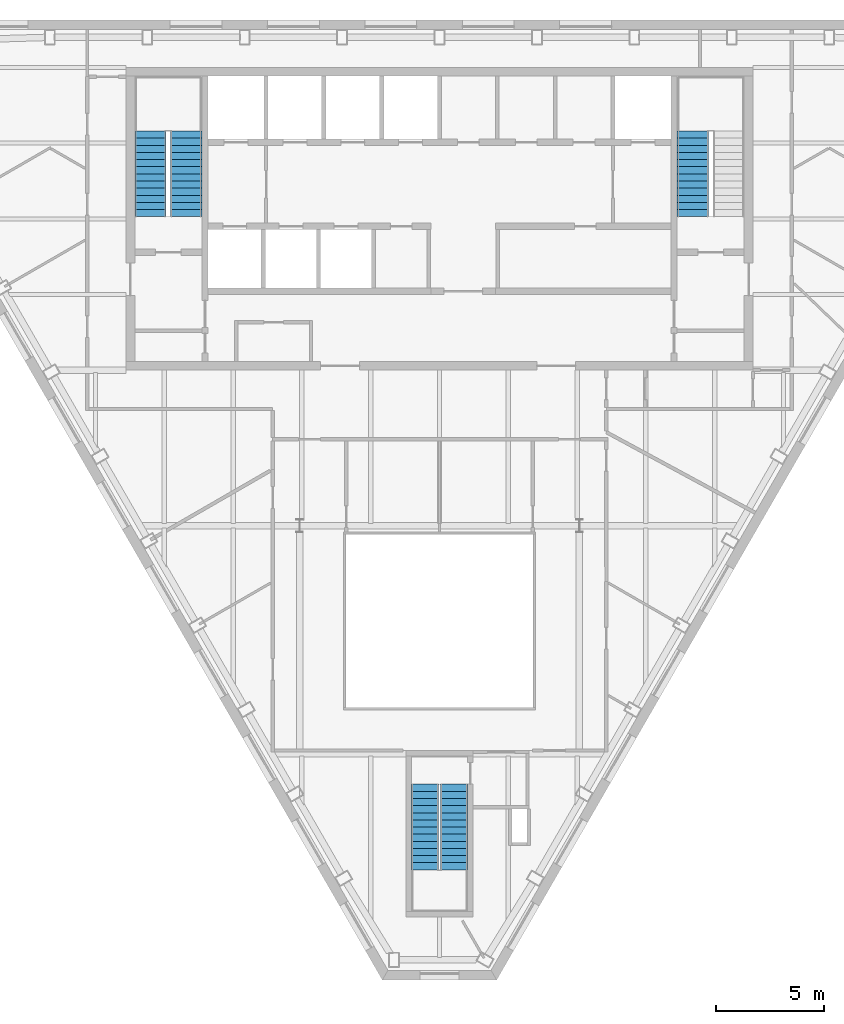
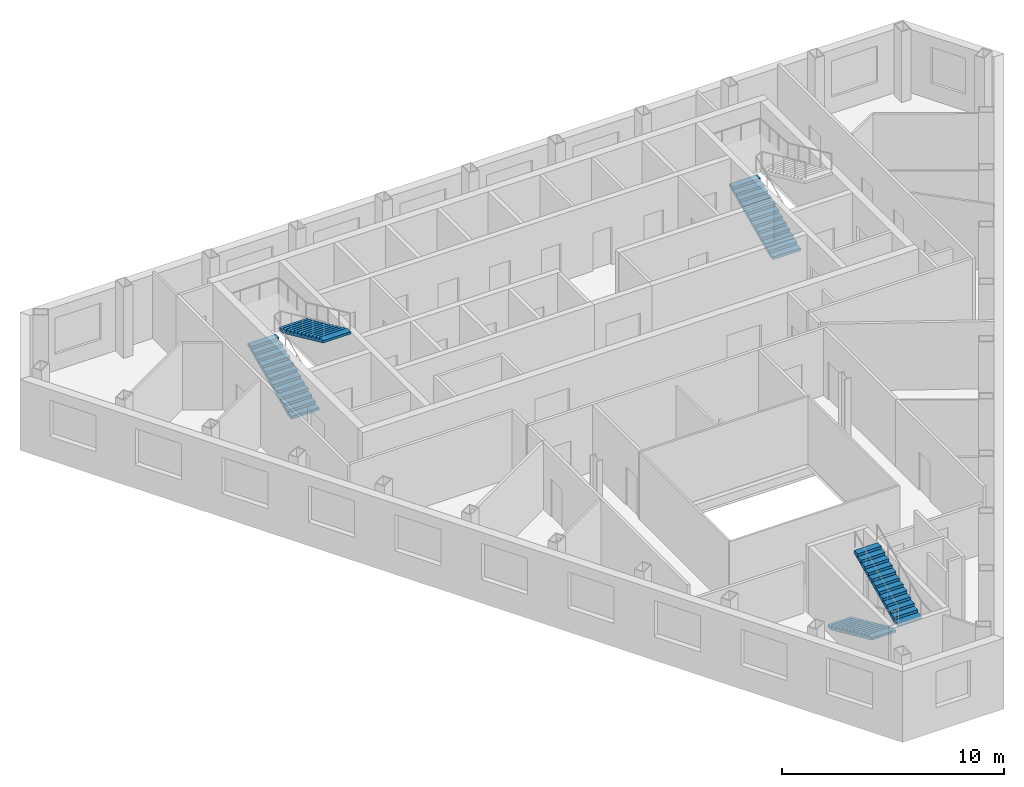
# One storey, part 8 of 10: 5 stair flights, 3 elements without a shape of their own.
"""IFC4 building model written with IfcOpenShell, lengths in metres."""

from ifc_helpers import new_model, si_unit, direction, frame, origin, place, context, subcontext, project, spatial, polygons, material, type_object, element, aggregate, save


model = new_model("IFC4")

# Units and contexts
model_context = context("Model", 3, precision=1e-05, world=origin(), true_north=direction((0.0, 1.0)))
body_context = subcontext(model_context, "Body", "Model", "MODEL_VIEW")
ifc_project = project(units=[si_unit("LENGTHUNIT", "METRE"), si_unit("AREAUNIT", "SQUARE_METRE"), si_unit("VOLUMEUNIT", "CUBIC_METRE"), si_unit("PLANEANGLEUNIT", "RADIAN"), si_unit("MASSUNIT", "GRAM", prefix="KILO")], contexts=[model_context])

# Site, building, storey
site_placement = place(None, origin())
site = spatial("IfcSite", under=ifc_project, at=site_placement, CompositionType="ELEMENT")
building_placement = place(site_placement, origin())
building = spatial("IfcBuilding", under=site, at=building_placement, Name="Njiva Tower", CompositionType="ELEMENT")
storey_placement = place(building_placement, frame((0.0, 0.0, 284.4)))
storey = spatial("IfcBuildingStorey", under=building, at=storey_placement, Name="L65", CompositionType="ELEMENT", Elevation=284.4)

# Stair, stair flights
ifc_material = material(Name="Concrete C40/50", Category="concrete")
stair_type_1 = type_object("IfcStairType", Name="ST1 Exit stair 1250", PredefinedType="HALF_TURN_STAIR", material=ifc_material)
stair_1_placement = place(storey_placement, origin())
stair_1 = element("IfcStair", 1, at=stair_1_placement, inside=storey, type_object=stair_type_1, Name="Stair C", PredefinedType="HALF_TURN_STAIR")
stair_flight_type_1 = type_object("IfcStairFlightType", Name="FL1 Stair flight 1250", PredefinedType="STRAIGHT", material=ifc_material)
stair_flight_1_placement = place(storey_placement, frame((-0.675, -15.16, 0.0), z_axis=(0.0, 0.0, 1.0), x_axis=(0.0, -1.0, 0.0)))
stair_flight_1 = element("IfcStairFlight", 2, at=stair_flight_1_placement, type_object=stair_flight_type_1, Name="ST-C flight 1", NumberOfRisers=13, NumberOfTreads=12, PredefinedType="STRAIGHT", RiserHeight=0.15, TreadLength=0.33, context=body_context, shape_type="Tessellation", body=[
    polygons([(0.0, 0.625, 0.0), (0.0, 0.3125, 0.0), (0.0, 0.0, 0.0), (0.0, -0.3125, 0.0), (0.0, -0.625, 0.0), (0.0, 0.625, 0.15), (0.0, 0.3125, 0.15), (0.0, 0.0, 0.15), (0.0, -0.3125, 0.15), (0.0, -0.625, 0.15), (0.33, 0.625, 0.15), (0.33, 0.3125, 0.15), (0.33, 0.0, 0.15), (0.33, -0.3125, 0.15), (0.33, -0.625, 0.15), (0.33, 0.625, 0.3), (0.33, 0.3125, 0.3), (0.33, 0.0, 0.3), (0.33, -0.3125, 0.3), (0.33, -0.625, 0.3), (0.66, 0.625, 0.3), (0.66, 0.3125, 0.3), (0.66, 0.0, 0.3), (0.66, -0.3125, 0.3), (0.66, -0.625, 0.3), (0.66, 0.625, 0.45), (0.66, 0.3125, 0.45), (0.66, 0.0, 0.45), (0.66, -0.3125, 0.45), (0.66, -0.625, 0.45), (0.99, 0.625, 0.45), (0.99, 0.3125, 0.45), (0.99, 0.0, 0.45), (0.99, -0.3125, 0.45), (0.99, -0.625, 0.45), (0.99, 0.625, 0.6), (0.99, 0.3125, 0.6), (0.99, 0.0, 0.6), (0.99, -0.3125, 0.6), (0.99, -0.625, 0.6), (1.32, 0.625, 0.6), (1.32, 0.3125, 0.6), (1.32, 0.0, 0.6), (1.32, -0.3125, 0.6), (1.32, -0.625, 0.6), (1.32, 0.625, 0.75), (1.32, 0.3125, 0.75), (1.32, 0.0, 0.75), (1.32, -0.3125, 0.75), (1.32, -0.625, 0.75), (1.65, 0.625, 0.75), (1.65, 0.3125, 0.75), (1.65, 0.0, 0.75), (1.65, -0.3125, 0.75), (1.65, -0.625, 0.75), (1.65, 0.625, 0.9), (1.65, 0.3125, 0.9), (1.65, 0.0, 0.9), (1.65, -0.3125, 0.9), (1.65, -0.625, 0.9), (1.98, 0.625, 0.9), (1.98, 0.3125, 0.9), (1.98, 0.0, 0.9), (1.98, -0.3125, 0.9), (1.98, -0.625, 0.9), (1.98, 0.625, 1.05), (1.98, 0.3125, 1.05), (1.98, 0.0, 1.05), (1.98, -0.3125, 1.05), (1.98, -0.625, 1.05), (2.31, 0.625, 1.05), (2.31, 0.3125, 1.05), (2.31, 0.0, 1.05), (2.31, -0.3125, 1.05), (2.31, -0.625, 1.05), (2.31, 0.625, 1.2), (2.31, 0.3125, 1.2), (2.31, 0.0, 1.2), (2.31, -0.3125, 1.2), (2.31, -0.625, 1.2), (2.64, 0.625, 1.2), (2.64, 0.3125, 1.2), (2.64, 0.0, 1.2), (2.64, -0.3125, 1.2), (2.64, -0.625, 1.2), (2.64, 0.625, 1.35), (2.64, 0.3125, 1.35), (2.64, 0.0, 1.35), (2.64, -0.3125, 1.35), (2.64, -0.625, 1.35), (2.97, 0.625, 1.35), (2.97, 0.3125, 1.35), (2.97, 0.0, 1.35), (2.97, -0.3125, 1.35), (2.97, -0.625, 1.35), (2.97, 0.625, 1.5), (2.97, 0.3125, 1.5), (2.97, 0.0, 1.5), (2.97, -0.3125, 1.5), (2.97, -0.625, 1.5), (3.3, 0.625, 1.5), (3.3, 0.3125, 1.5), (3.3, 0.0, 1.5), (3.3, -0.3125, 1.5), (3.3, -0.625, 1.5), (3.3, 0.625, 1.65), (3.3, 0.3125, 1.65), (3.3, 0.0, 1.65), (3.3, -0.3125, 1.65), (3.3, -0.625, 1.65), (3.63, 0.625, 1.65), (3.63, 0.3125, 1.65), (3.63, 0.0, 1.65), (3.63, -0.3125, 1.65), (3.63, -0.625, 1.65), (3.63, 0.625, 1.8), (3.63, 0.3125, 1.8), (3.63, 0.0, 1.8), (3.63, -0.3125, 1.8), (3.63, -0.625, 1.8), (3.96, 0.625, 1.8), (3.96, 0.3125, 1.8), (3.96, 0.0, 1.8), (3.96, -0.3125, 1.8), (3.96, -0.625, 1.8), (3.96, 0.625, 1.6682), (3.96, 0.3125, 1.6682), (3.96, 0.0, 1.6682), (3.96, -0.3125, 1.6682), (3.96, -0.625, 1.6682), (0.29, 0.625, 0.0), (0.29, 0.3125, 0.0), (0.29, 0.0, 0.0), (0.29, -0.3125, 0.0), (0.29, -0.625, 0.0)], [[[1, 6, 11, 16, 21, 26, 31, 36, 41, 46, 51, 56, 61, 66, 71, 76, 81, 86, 91, 96, 101, 106, 111, 116, 121, 126, 131]], [[135, 130, 125, 120, 115, 110, 105, 100, 95, 90, 85, 80, 75, 70, 65, 60, 55, 50, 45, 40, 35, 30, 25, 20, 15, 10, 5]], [[6, 1, 2, 7]], [[7, 2, 3, 8]], [[8, 3, 4, 9]], [[9, 4, 5, 10]], [[11, 6, 7, 12]], [[12, 7, 8, 13]], [[13, 8, 9, 14]], [[14, 9, 10, 15]], [[16, 11, 12, 17]], [[17, 12, 13, 18]], [[18, 13, 14, 19]], [[19, 14, 15, 20]], [[21, 16, 17, 22]], [[22, 17, 18, 23]], [[23, 18, 19, 24]], [[24, 19, 20, 25]], [[26, 21, 22, 27]], [[27, 22, 23, 28]], [[28, 23, 24, 29]], [[29, 24, 25, 30]], [[31, 26, 27, 32]], [[32, 27, 28, 33]], [[33, 28, 29, 34]], [[34, 29, 30, 35]], [[36, 31, 32, 37]], [[37, 32, 33, 38]], [[38, 33, 34, 39]], [[39, 34, 35, 40]], [[41, 36, 37, 42]], [[42, 37, 38, 43]], [[43, 38, 39, 44]], [[44, 39, 40, 45]], [[46, 41, 42, 47]], [[47, 42, 43, 48]], [[48, 43, 44, 49]], [[49, 44, 45, 50]], [[51, 46, 47, 52]], [[52, 47, 48, 53]], [[53, 48, 49, 54]], [[54, 49, 50, 55]], [[56, 51, 52, 57]], [[57, 52, 53, 58]], [[58, 53, 54, 59]], [[59, 54, 55, 60]], [[61, 56, 57, 62]], [[62, 57, 58, 63]], [[63, 58, 59, 64]], [[64, 59, 60, 65]], [[66, 61, 62, 67]], [[67, 62, 63, 68]], [[68, 63, 64, 69]], [[69, 64, 65, 70]], [[71, 66, 67, 72]], [[72, 67, 68, 73]], [[73, 68, 69, 74]], [[74, 69, 70, 75]], [[76, 71, 72, 77]], [[77, 72, 73, 78]], [[78, 73, 74, 79]], [[79, 74, 75, 80]], [[81, 76, 77, 82]], [[82, 77, 78, 83]], [[83, 78, 79, 84]], [[84, 79, 80, 85]], [[86, 81, 82, 87]], [[87, 82, 83, 88]], [[88, 83, 84, 89]], [[89, 84, 85, 90]], [[91, 86, 87, 92]], [[92, 87, 88, 93]], [[93, 88, 89, 94]], [[94, 89, 90, 95]], [[96, 91, 92, 97]], [[97, 92, 93, 98]], [[98, 93, 94, 99]], [[99, 94, 95, 100]], [[101, 96, 97, 102]], [[102, 97, 98, 103]], [[103, 98, 99, 104]], [[104, 99, 100, 105]], [[106, 101, 102, 107]], [[107, 102, 103, 108]], [[108, 103, 104, 109]], [[109, 104, 105, 110]], [[111, 106, 107, 112]], [[112, 107, 108, 113]], [[113, 108, 109, 114]], [[114, 109, 110, 115]], [[116, 111, 112, 117]], [[117, 112, 113, 118]], [[118, 113, 114, 119]], [[119, 114, 115, 120]], [[121, 116, 117, 122]], [[122, 117, 118, 123]], [[123, 118, 119, 124]], [[124, 119, 120, 125]], [[126, 121, 122, 127]], [[127, 122, 123, 128]], [[128, 123, 124, 129]], [[129, 124, 125, 130]], [[131, 126, 127, 132]], [[132, 127, 128, 133]], [[133, 128, 129, 134]], [[134, 129, 130, 135]], [[1, 131, 132, 2]], [[2, 132, 133, 3]], [[3, 133, 134, 4]], [[4, 134, 135, 5]]], closed=True),
])
stair_flight_2_placement = place(storey_placement, frame((0.675, -19.12, 1.95), z_axis=(0.0, 0.0, 1.0), x_axis=(0.0, 1.0, 0.0)))
stair_flight_2 = element("IfcStairFlight", 3, at=stair_flight_2_placement, type_object=stair_flight_type_1, Name="ST-C flight 2", NumberOfRisers=13, NumberOfTreads=12, PredefinedType="STRAIGHT", RiserHeight=0.15, TreadLength=0.33, context=body_context, shape_type="Tessellation", body=[
    polygons([(0.0, 0.625, 0.0), (0.0, 0.3125, 0.0), (0.0, 0.0, 0.0), (0.0, -0.3125, 0.0), (0.0, -0.625, 0.0), (0.0, 0.625, 0.15), (0.0, 0.3125, 0.15), (0.0, 0.0, 0.15), (0.0, -0.3125, 0.15), (0.0, -0.625, 0.15), (0.33, 0.625, 0.15), (0.33, 0.3125, 0.15), (0.33, 0.0, 0.15), (0.33, -0.3125, 0.15), (0.33, -0.625, 0.15), (0.33, 0.625, 0.3), (0.33, 0.3125, 0.3), (0.33, 0.0, 0.3), (0.33, -0.3125, 0.3), (0.33, -0.625, 0.3), (0.66, 0.625, 0.3), (0.66, 0.3125, 0.3), (0.66, 0.0, 0.3), (0.66, -0.3125, 0.3), (0.66, -0.625, 0.3), (0.66, 0.625, 0.45), (0.66, 0.3125, 0.45), (0.66, 0.0, 0.45), (0.66, -0.3125, 0.45), (0.66, -0.625, 0.45), (0.99, 0.625, 0.45), (0.99, 0.3125, 0.45), (0.99, 0.0, 0.45), (0.99, -0.3125, 0.45), (0.99, -0.625, 0.45), (0.99, 0.625, 0.6), (0.99, 0.3125, 0.6), (0.99, 0.0, 0.6), (0.99, -0.3125, 0.6), (0.99, -0.625, 0.6), (1.32, 0.625, 0.6), (1.32, 0.3125, 0.6), (1.32, 0.0, 0.6), (1.32, -0.3125, 0.6), (1.32, -0.625, 0.6), (1.32, 0.625, 0.75), (1.32, 0.3125, 0.75), (1.32, 0.0, 0.75), (1.32, -0.3125, 0.75), (1.32, -0.625, 0.75), (1.65, 0.625, 0.75), (1.65, 0.3125, 0.75), (1.65, 0.0, 0.75), (1.65, -0.3125, 0.75), (1.65, -0.625, 0.75), (1.65, 0.625, 0.9), (1.65, 0.3125, 0.9), (1.65, 0.0, 0.9), (1.65, -0.3125, 0.9), (1.65, -0.625, 0.9), (1.98, 0.625, 0.9), (1.98, 0.3125, 0.9), (1.98, 0.0, 0.9), (1.98, -0.3125, 0.9), (1.98, -0.625, 0.9), (1.98, 0.625, 1.05), (1.98, 0.3125, 1.05), (1.98, 0.0, 1.05), (1.98, -0.3125, 1.05), (1.98, -0.625, 1.05), (2.31, 0.625, 1.05), (2.31, 0.3125, 1.05), (2.31, 0.0, 1.05), (2.31, -0.3125, 1.05), (2.31, -0.625, 1.05), (2.31, 0.625, 1.2), (2.31, 0.3125, 1.2), (2.31, 0.0, 1.2), (2.31, -0.3125, 1.2), (2.31, -0.625, 1.2), (2.64, 0.625, 1.2), (2.64, 0.3125, 1.2), (2.64, 0.0, 1.2), (2.64, -0.3125, 1.2), (2.64, -0.625, 1.2), (2.64, 0.625, 1.35), (2.64, 0.3125, 1.35), (2.64, 0.0, 1.35), (2.64, -0.3125, 1.35), (2.64, -0.625, 1.35), (2.97, 0.625, 1.35), (2.97, 0.3125, 1.35), (2.97, 0.0, 1.35), (2.97, -0.3125, 1.35), (2.97, -0.625, 1.35), (2.97, 0.625, 1.5), (2.97, 0.3125, 1.5), (2.97, 0.0, 1.5), (2.97, -0.3125, 1.5), (2.97, -0.625, 1.5), (3.3, 0.625, 1.5), (3.3, 0.3125, 1.5), (3.3, 0.0, 1.5), (3.3, -0.3125, 1.5), (3.3, -0.625, 1.5), (3.3, 0.625, 1.65), (3.3, 0.3125, 1.65), (3.3, 0.0, 1.65), (3.3, -0.3125, 1.65), (3.3, -0.625, 1.65), (3.63, 0.625, 1.65), (3.63, 0.3125, 1.65), (3.63, 0.0, 1.65), (3.63, -0.3125, 1.65), (3.63, -0.625, 1.65), (3.63, 0.625, 1.8), (3.63, 0.3125, 1.8), (3.63, 0.0, 1.8), (3.63, -0.3125, 1.8), (3.63, -0.625, 1.8), (3.96, 0.625, 1.8), (3.96, 0.3125, 1.8), (3.96, 0.0, 1.8), (3.96, -0.3125, 1.8), (3.96, -0.625, 1.8), (3.96, 0.625, 1.6682), (3.96, 0.3125, 1.6682), (3.96, 0.0, 1.6682), (3.96, -0.3125, 1.6682), (3.96, -0.625, 1.6682), (0.29, 0.625, 0.0), (0.29, 0.3125, 0.0), (0.29, 0.0, 0.0), (0.29, -0.3125, 0.0), (0.29, -0.625, 0.0)], [[[1, 6, 11, 16, 21, 26, 31, 36, 41, 46, 51, 56, 61, 66, 71, 76, 81, 86, 91, 96, 101, 106, 111, 116, 121, 126, 131]], [[135, 130, 125, 120, 115, 110, 105, 100, 95, 90, 85, 80, 75, 70, 65, 60, 55, 50, 45, 40, 35, 30, 25, 20, 15, 10, 5]], [[6, 1, 2, 7]], [[7, 2, 3, 8]], [[8, 3, 4, 9]], [[9, 4, 5, 10]], [[11, 6, 7, 12]], [[12, 7, 8, 13]], [[13, 8, 9, 14]], [[14, 9, 10, 15]], [[16, 11, 12, 17]], [[17, 12, 13, 18]], [[18, 13, 14, 19]], [[19, 14, 15, 20]], [[21, 16, 17, 22]], [[22, 17, 18, 23]], [[23, 18, 19, 24]], [[24, 19, 20, 25]], [[26, 21, 22, 27]], [[27, 22, 23, 28]], [[28, 23, 24, 29]], [[29, 24, 25, 30]], [[31, 26, 27, 32]], [[32, 27, 28, 33]], [[33, 28, 29, 34]], [[34, 29, 30, 35]], [[36, 31, 32, 37]], [[37, 32, 33, 38]], [[38, 33, 34, 39]], [[39, 34, 35, 40]], [[41, 36, 37, 42]], [[42, 37, 38, 43]], [[43, 38, 39, 44]], [[44, 39, 40, 45]], [[46, 41, 42, 47]], [[47, 42, 43, 48]], [[48, 43, 44, 49]], [[49, 44, 45, 50]], [[51, 46, 47, 52]], [[52, 47, 48, 53]], [[53, 48, 49, 54]], [[54, 49, 50, 55]], [[56, 51, 52, 57]], [[57, 52, 53, 58]], [[58, 53, 54, 59]], [[59, 54, 55, 60]], [[61, 56, 57, 62]], [[62, 57, 58, 63]], [[63, 58, 59, 64]], [[64, 59, 60, 65]], [[66, 61, 62, 67]], [[67, 62, 63, 68]], [[68, 63, 64, 69]], [[69, 64, 65, 70]], [[71, 66, 67, 72]], [[72, 67, 68, 73]], [[73, 68, 69, 74]], [[74, 69, 70, 75]], [[76, 71, 72, 77]], [[77, 72, 73, 78]], [[78, 73, 74, 79]], [[79, 74, 75, 80]], [[81, 76, 77, 82]], [[82, 77, 78, 83]], [[83, 78, 79, 84]], [[84, 79, 80, 85]], [[86, 81, 82, 87]], [[87, 82, 83, 88]], [[88, 83, 84, 89]], [[89, 84, 85, 90]], [[91, 86, 87, 92]], [[92, 87, 88, 93]], [[93, 88, 89, 94]], [[94, 89, 90, 95]], [[96, 91, 92, 97]], [[97, 92, 93, 98]], [[98, 93, 94, 99]], [[99, 94, 95, 100]], [[101, 96, 97, 102]], [[102, 97, 98, 103]], [[103, 98, 99, 104]], [[104, 99, 100, 105]], [[106, 101, 102, 107]], [[107, 102, 103, 108]], [[108, 103, 104, 109]], [[109, 104, 105, 110]], [[111, 106, 107, 112]], [[112, 107, 108, 113]], [[113, 108, 109, 114]], [[114, 109, 110, 115]], [[116, 111, 112, 117]], [[117, 112, 113, 118]], [[118, 113, 114, 119]], [[119, 114, 115, 120]], [[121, 116, 117, 122]], [[122, 117, 118, 123]], [[123, 118, 119, 124]], [[124, 119, 120, 125]], [[126, 121, 122, 127]], [[127, 122, 123, 128]], [[128, 123, 124, 129]], [[129, 124, 125, 130]], [[131, 126, 127, 132]], [[132, 127, 128, 133]], [[133, 128, 129, 134]], [[134, 129, 130, 135]], [[1, 131, 132, 2]], [[2, 132, 133, 3]], [[3, 133, 134, 4]], [[4, 134, 135, 5]]], closed=True),
])
aggregate(stair_1, [stair_flight_1, stair_flight_2])

stair_type_2 = type_object("IfcStairType", Name="ST3 Exit stair 1450", PredefinedType="HALF_TURN_STAIR", material=ifc_material)
stair_2_placement = place(storey_placement, origin())
stair_2 = element("IfcStair", 4, at=stair_2_placement, inside=storey, type_object=stair_type_2, Name="Stair A", PredefinedType="HALF_TURN_STAIR")
stair_flight_type_2 = type_object("IfcStairFlightType", Name="FL3 Stair flight 1450", PredefinedType="STRAIGHT", material=ifc_material)
stair_flight_3_placement = place(storey_placement, frame((-13.375, 11.1, 0.0), z_axis=(0.0, 0.0, 1.0), x_axis=(0.0, 1.0, 0.0)))
stair_flight_3 = element("IfcStairFlight", 5, at=stair_flight_3_placement, type_object=stair_flight_type_2, Name="ST-A flight 1", NumberOfRisers=13, NumberOfTreads=12, PredefinedType="STRAIGHT", RiserHeight=0.15, TreadLength=0.33, context=body_context, shape_type="Tessellation", body=[
    polygons([(0.0, 0.725, 0.0), (0.0, 0.3625, 0.0), (0.0, 0.0, 0.0), (0.0, -0.3625, 0.0), (0.0, -0.725, 0.0), (0.0, 0.725, 0.15), (0.0, 0.3625, 0.15), (0.0, 0.0, 0.15), (0.0, -0.3625, 0.15), (0.0, -0.725, 0.15), (0.33, 0.725, 0.15), (0.33, 0.3625, 0.15), (0.33, 0.0, 0.15), (0.33, -0.3625, 0.15), (0.33, -0.725, 0.15), (0.33, 0.725, 0.3), (0.33, 0.3625, 0.3), (0.33, 0.0, 0.3), (0.33, -0.3625, 0.3), (0.33, -0.725, 0.3), (0.66, 0.725, 0.3), (0.66, 0.3625, 0.3), (0.66, 0.0, 0.3), (0.66, -0.3625, 0.3), (0.66, -0.725, 0.3), (0.66, 0.725, 0.45), (0.66, 0.3625, 0.45), (0.66, 0.0, 0.45), (0.66, -0.3625, 0.45), (0.66, -0.725, 0.45), (0.99, 0.725, 0.45), (0.99, 0.3625, 0.45), (0.99, 0.0, 0.45), (0.99, -0.3625, 0.45), (0.99, -0.725, 0.45), (0.99, 0.725, 0.6), (0.99, 0.3625, 0.6), (0.99, 0.0, 0.6), (0.99, -0.3625, 0.6), (0.99, -0.725, 0.6), (1.32, 0.725, 0.6), (1.32, 0.3625, 0.6), (1.32, 0.0, 0.6), (1.32, -0.3625, 0.6), (1.32, -0.725, 0.6), (1.32, 0.725, 0.75), (1.32, 0.3625, 0.75), (1.32, 0.0, 0.75), (1.32, -0.3625, 0.75), (1.32, -0.725, 0.75), (1.65, 0.725, 0.75), (1.65, 0.3625, 0.75), (1.65, 0.0, 0.75), (1.65, -0.3625, 0.75), (1.65, -0.725, 0.75), (1.65, 0.725, 0.9), (1.65, 0.3625, 0.9), (1.65, 0.0, 0.9), (1.65, -0.3625, 0.9), (1.65, -0.725, 0.9), (1.98, 0.725, 0.9), (1.98, 0.3625, 0.9), (1.98, 0.0, 0.9), (1.98, -0.3625, 0.9), (1.98, -0.725, 0.9), (1.98, 0.725, 1.05), (1.98, 0.3625, 1.05), (1.98, 0.0, 1.05), (1.98, -0.3625, 1.05), (1.98, -0.725, 1.05), (2.31, 0.725, 1.05), (2.31, 0.3625, 1.05), (2.31, 0.0, 1.05), (2.31, -0.3625, 1.05), (2.31, -0.725, 1.05), (2.31, 0.725, 1.2), (2.31, 0.3625, 1.2), (2.31, 0.0, 1.2), (2.31, -0.3625, 1.2), (2.31, -0.725, 1.2), (2.64, 0.725, 1.2), (2.64, 0.3625, 1.2), (2.64, 0.0, 1.2), (2.64, -0.3625, 1.2), (2.64, -0.725, 1.2), (2.64, 0.725, 1.35), (2.64, 0.3625, 1.35), (2.64, 0.0, 1.35), (2.64, -0.3625, 1.35), (2.64, -0.725, 1.35), (2.97, 0.725, 1.35), (2.97, 0.3625, 1.35), (2.97, 0.0, 1.35), (2.97, -0.3625, 1.35), (2.97, -0.725, 1.35), (2.97, 0.725, 1.5), (2.97, 0.3625, 1.5), (2.97, 0.0, 1.5), (2.97, -0.3625, 1.5), (2.97, -0.725, 1.5), (3.3, 0.725, 1.5), (3.3, 0.3625, 1.5), (3.3, 0.0, 1.5), (3.3, -0.3625, 1.5), (3.3, -0.725, 1.5), (3.3, 0.725, 1.65), (3.3, 0.3625, 1.65), (3.3, 0.0, 1.65), (3.3, -0.3625, 1.65), (3.3, -0.725, 1.65), (3.63, 0.725, 1.65), (3.63, 0.3625, 1.65), (3.63, 0.0, 1.65), (3.63, -0.3625, 1.65), (3.63, -0.725, 1.65), (3.63, 0.725, 1.8), (3.63, 0.3625, 1.8), (3.63, 0.0, 1.8), (3.63, -0.3625, 1.8), (3.63, -0.725, 1.8), (3.96, 0.725, 1.8), (3.96, 0.3625, 1.8), (3.96, 0.0, 1.8), (3.96, -0.3625, 1.8), (3.96, -0.725, 1.8), (3.96, 0.725, 1.6682), (3.96, 0.3625, 1.6682), (3.96, 0.0, 1.6682), (3.96, -0.3625, 1.6682), (3.96, -0.725, 1.6682), (0.29, 0.725, 0.0), (0.29, 0.3625, 0.0), (0.29, 0.0, 0.0), (0.29, -0.3625, 0.0), (0.29, -0.725, 0.0)], [[[1, 6, 11, 16, 21, 26, 31, 36, 41, 46, 51, 56, 61, 66, 71, 76, 81, 86, 91, 96, 101, 106, 111, 116, 121, 126, 131]], [[135, 130, 125, 120, 115, 110, 105, 100, 95, 90, 85, 80, 75, 70, 65, 60, 55, 50, 45, 40, 35, 30, 25, 20, 15, 10, 5]], [[6, 1, 2, 7]], [[7, 2, 3, 8]], [[8, 3, 4, 9]], [[9, 4, 5, 10]], [[11, 6, 7, 12]], [[12, 7, 8, 13]], [[13, 8, 9, 14]], [[14, 9, 10, 15]], [[16, 11, 12, 17]], [[17, 12, 13, 18]], [[18, 13, 14, 19]], [[19, 14, 15, 20]], [[21, 16, 17, 22]], [[22, 17, 18, 23]], [[23, 18, 19, 24]], [[24, 19, 20, 25]], [[26, 21, 22, 27]], [[27, 22, 23, 28]], [[28, 23, 24, 29]], [[29, 24, 25, 30]], [[31, 26, 27, 32]], [[32, 27, 28, 33]], [[33, 28, 29, 34]], [[34, 29, 30, 35]], [[36, 31, 32, 37]], [[37, 32, 33, 38]], [[38, 33, 34, 39]], [[39, 34, 35, 40]], [[41, 36, 37, 42]], [[42, 37, 38, 43]], [[43, 38, 39, 44]], [[44, 39, 40, 45]], [[46, 41, 42, 47]], [[47, 42, 43, 48]], [[48, 43, 44, 49]], [[49, 44, 45, 50]], [[51, 46, 47, 52]], [[52, 47, 48, 53]], [[53, 48, 49, 54]], [[54, 49, 50, 55]], [[56, 51, 52, 57]], [[57, 52, 53, 58]], [[58, 53, 54, 59]], [[59, 54, 55, 60]], [[61, 56, 57, 62]], [[62, 57, 58, 63]], [[63, 58, 59, 64]], [[64, 59, 60, 65]], [[66, 61, 62, 67]], [[67, 62, 63, 68]], [[68, 63, 64, 69]], [[69, 64, 65, 70]], [[71, 66, 67, 72]], [[72, 67, 68, 73]], [[73, 68, 69, 74]], [[74, 69, 70, 75]], [[76, 71, 72, 77]], [[77, 72, 73, 78]], [[78, 73, 74, 79]], [[79, 74, 75, 80]], [[81, 76, 77, 82]], [[82, 77, 78, 83]], [[83, 78, 79, 84]], [[84, 79, 80, 85]], [[86, 81, 82, 87]], [[87, 82, 83, 88]], [[88, 83, 84, 89]], [[89, 84, 85, 90]], [[91, 86, 87, 92]], [[92, 87, 88, 93]], [[93, 88, 89, 94]], [[94, 89, 90, 95]], [[96, 91, 92, 97]], [[97, 92, 93, 98]], [[98, 93, 94, 99]], [[99, 94, 95, 100]], [[101, 96, 97, 102]], [[102, 97, 98, 103]], [[103, 98, 99, 104]], [[104, 99, 100, 105]], [[106, 101, 102, 107]], [[107, 102, 103, 108]], [[108, 103, 104, 109]], [[109, 104, 105, 110]], [[111, 106, 107, 112]], [[112, 107, 108, 113]], [[113, 108, 109, 114]], [[114, 109, 110, 115]], [[116, 111, 112, 117]], [[117, 112, 113, 118]], [[118, 113, 114, 119]], [[119, 114, 115, 120]], [[121, 116, 117, 122]], [[122, 117, 118, 123]], [[123, 118, 119, 124]], [[124, 119, 120, 125]], [[126, 121, 122, 127]], [[127, 122, 123, 128]], [[128, 123, 124, 129]], [[129, 124, 125, 130]], [[131, 126, 127, 132]], [[132, 127, 128, 133]], [[133, 128, 129, 134]], [[134, 129, 130, 135]], [[1, 131, 132, 2]], [[2, 132, 133, 3]], [[3, 133, 134, 4]], [[4, 134, 135, 5]]], closed=True),
])
stair_flight_4_placement = place(storey_placement, frame((-11.725, 15.06, 1.95), z_axis=(0.0, 0.0, 1.0), x_axis=(0.0, -1.0, 0.0)))
stair_flight_4 = element("IfcStairFlight", 6, at=stair_flight_4_placement, type_object=stair_flight_type_2, Name="ST-A flight 2", NumberOfRisers=13, NumberOfTreads=12, PredefinedType="STRAIGHT", RiserHeight=0.15, TreadLength=0.33, context=body_context, shape_type="Tessellation", body=[
    polygons([(0.0, 0.725, 0.0), (0.0, 0.3625, 0.0), (0.0, 0.0, 0.0), (0.0, -0.3625, 0.0), (0.0, -0.725, 0.0), (0.0, 0.725, 0.15), (0.0, 0.3625, 0.15), (0.0, 0.0, 0.15), (0.0, -0.3625, 0.15), (0.0, -0.725, 0.15), (0.33, 0.725, 0.15), (0.33, 0.3625, 0.15), (0.33, 0.0, 0.15), (0.33, -0.3625, 0.15), (0.33, -0.725, 0.15), (0.33, 0.725, 0.3), (0.33, 0.3625, 0.3), (0.33, 0.0, 0.3), (0.33, -0.3625, 0.3), (0.33, -0.725, 0.3), (0.66, 0.725, 0.3), (0.66, 0.3625, 0.3), (0.66, 0.0, 0.3), (0.66, -0.3625, 0.3), (0.66, -0.725, 0.3), (0.66, 0.725, 0.45), (0.66, 0.3625, 0.45), (0.66, 0.0, 0.45), (0.66, -0.3625, 0.45), (0.66, -0.725, 0.45), (0.99, 0.725, 0.45), (0.99, 0.3625, 0.45), (0.99, 0.0, 0.45), (0.99, -0.3625, 0.45), (0.99, -0.725, 0.45), (0.99, 0.725, 0.6), (0.99, 0.3625, 0.6), (0.99, 0.0, 0.6), (0.99, -0.3625, 0.6), (0.99, -0.725, 0.6), (1.32, 0.725, 0.6), (1.32, 0.3625, 0.6), (1.32, 0.0, 0.6), (1.32, -0.3625, 0.6), (1.32, -0.725, 0.6), (1.32, 0.725, 0.75), (1.32, 0.3625, 0.75), (1.32, 0.0, 0.75), (1.32, -0.3625, 0.75), (1.32, -0.725, 0.75), (1.65, 0.725, 0.75), (1.65, 0.3625, 0.75), (1.65, 0.0, 0.75), (1.65, -0.3625, 0.75), (1.65, -0.725, 0.75), (1.65, 0.725, 0.9), (1.65, 0.3625, 0.9), (1.65, 0.0, 0.9), (1.65, -0.3625, 0.9), (1.65, -0.725, 0.9), (1.98, 0.725, 0.9), (1.98, 0.3625, 0.9), (1.98, 0.0, 0.9), (1.98, -0.3625, 0.9), (1.98, -0.725, 0.9), (1.98, 0.725, 1.05), (1.98, 0.3625, 1.05), (1.98, 0.0, 1.05), (1.98, -0.3625, 1.05), (1.98, -0.725, 1.05), (2.31, 0.725, 1.05), (2.31, 0.3625, 1.05), (2.31, 0.0, 1.05), (2.31, -0.3625, 1.05), (2.31, -0.725, 1.05), (2.31, 0.725, 1.2), (2.31, 0.3625, 1.2), (2.31, 0.0, 1.2), (2.31, -0.3625, 1.2), (2.31, -0.725, 1.2), (2.64, 0.725, 1.2), (2.64, 0.3625, 1.2), (2.64, 0.0, 1.2), (2.64, -0.3625, 1.2), (2.64, -0.725, 1.2), (2.64, 0.725, 1.35), (2.64, 0.3625, 1.35), (2.64, 0.0, 1.35), (2.64, -0.3625, 1.35), (2.64, -0.725, 1.35), (2.97, 0.725, 1.35), (2.97, 0.3625, 1.35), (2.97, 0.0, 1.35), (2.97, -0.3625, 1.35), (2.97, -0.725, 1.35), (2.97, 0.725, 1.5), (2.97, 0.3625, 1.5), (2.97, 0.0, 1.5), (2.97, -0.3625, 1.5), (2.97, -0.725, 1.5), (3.3, 0.725, 1.5), (3.3, 0.3625, 1.5), (3.3, 0.0, 1.5), (3.3, -0.3625, 1.5), (3.3, -0.725, 1.5), (3.3, 0.725, 1.65), (3.3, 0.3625, 1.65), (3.3, 0.0, 1.65), (3.3, -0.3625, 1.65), (3.3, -0.725, 1.65), (3.63, 0.725, 1.65), (3.63, 0.3625, 1.65), (3.63, 0.0, 1.65), (3.63, -0.3625, 1.65), (3.63, -0.725, 1.65), (3.63, 0.725, 1.8), (3.63, 0.3625, 1.8), (3.63, 0.0, 1.8), (3.63, -0.3625, 1.8), (3.63, -0.725, 1.8), (3.96, 0.725, 1.8), (3.96, 0.3625, 1.8), (3.96, 0.0, 1.8), (3.96, -0.3625, 1.8), (3.96, -0.725, 1.8), (3.96, 0.725, 1.6682), (3.96, 0.3625, 1.6682), (3.96, 0.0, 1.6682), (3.96, -0.3625, 1.6682), (3.96, -0.725, 1.6682), (0.29, 0.725, 0.0), (0.29, 0.3625, 0.0), (0.29, 0.0, 0.0), (0.29, -0.3625, 0.0), (0.29, -0.725, 0.0)], [[[1, 6, 11, 16, 21, 26, 31, 36, 41, 46, 51, 56, 61, 66, 71, 76, 81, 86, 91, 96, 101, 106, 111, 116, 121, 126, 131]], [[135, 130, 125, 120, 115, 110, 105, 100, 95, 90, 85, 80, 75, 70, 65, 60, 55, 50, 45, 40, 35, 30, 25, 20, 15, 10, 5]], [[6, 1, 2, 7]], [[7, 2, 3, 8]], [[8, 3, 4, 9]], [[9, 4, 5, 10]], [[11, 6, 7, 12]], [[12, 7, 8, 13]], [[13, 8, 9, 14]], [[14, 9, 10, 15]], [[16, 11, 12, 17]], [[17, 12, 13, 18]], [[18, 13, 14, 19]], [[19, 14, 15, 20]], [[21, 16, 17, 22]], [[22, 17, 18, 23]], [[23, 18, 19, 24]], [[24, 19, 20, 25]], [[26, 21, 22, 27]], [[27, 22, 23, 28]], [[28, 23, 24, 29]], [[29, 24, 25, 30]], [[31, 26, 27, 32]], [[32, 27, 28, 33]], [[33, 28, 29, 34]], [[34, 29, 30, 35]], [[36, 31, 32, 37]], [[37, 32, 33, 38]], [[38, 33, 34, 39]], [[39, 34, 35, 40]], [[41, 36, 37, 42]], [[42, 37, 38, 43]], [[43, 38, 39, 44]], [[44, 39, 40, 45]], [[46, 41, 42, 47]], [[47, 42, 43, 48]], [[48, 43, 44, 49]], [[49, 44, 45, 50]], [[51, 46, 47, 52]], [[52, 47, 48, 53]], [[53, 48, 49, 54]], [[54, 49, 50, 55]], [[56, 51, 52, 57]], [[57, 52, 53, 58]], [[58, 53, 54, 59]], [[59, 54, 55, 60]], [[61, 56, 57, 62]], [[62, 57, 58, 63]], [[63, 58, 59, 64]], [[64, 59, 60, 65]], [[66, 61, 62, 67]], [[67, 62, 63, 68]], [[68, 63, 64, 69]], [[69, 64, 65, 70]], [[71, 66, 67, 72]], [[72, 67, 68, 73]], [[73, 68, 69, 74]], [[74, 69, 70, 75]], [[76, 71, 72, 77]], [[77, 72, 73, 78]], [[78, 73, 74, 79]], [[79, 74, 75, 80]], [[81, 76, 77, 82]], [[82, 77, 78, 83]], [[83, 78, 79, 84]], [[84, 79, 80, 85]], [[86, 81, 82, 87]], [[87, 82, 83, 88]], [[88, 83, 84, 89]], [[89, 84, 85, 90]], [[91, 86, 87, 92]], [[92, 87, 88, 93]], [[93, 88, 89, 94]], [[94, 89, 90, 95]], [[96, 91, 92, 97]], [[97, 92, 93, 98]], [[98, 93, 94, 99]], [[99, 94, 95, 100]], [[101, 96, 97, 102]], [[102, 97, 98, 103]], [[103, 98, 99, 104]], [[104, 99, 100, 105]], [[106, 101, 102, 107]], [[107, 102, 103, 108]], [[108, 103, 104, 109]], [[109, 104, 105, 110]], [[111, 106, 107, 112]], [[112, 107, 108, 113]], [[113, 108, 109, 114]], [[114, 109, 110, 115]], [[116, 111, 112, 117]], [[117, 112, 113, 118]], [[118, 113, 114, 119]], [[119, 114, 115, 120]], [[121, 116, 117, 122]], [[122, 117, 118, 123]], [[123, 118, 119, 124]], [[124, 119, 120, 125]], [[126, 121, 122, 127]], [[127, 122, 123, 128]], [[128, 123, 124, 129]], [[129, 124, 125, 130]], [[131, 126, 127, 132]], [[132, 127, 128, 133]], [[133, 128, 129, 134]], [[134, 129, 130, 135]], [[1, 131, 132, 2]], [[2, 132, 133, 3]], [[3, 133, 134, 4]], [[4, 134, 135, 5]]], closed=True),
])
aggregate(stair_2, [stair_flight_3, stair_flight_4])

# Stair, stair flight
stair_3_placement = place(storey_placement, origin())
stair_3 = element("IfcStair", 7, at=stair_3_placement, inside=storey, type_object=stair_type_2, Name="Stair B", PredefinedType="HALF_TURN_STAIR")
stair_flight_5_placement = place(storey_placement, frame((11.725, 11.1, 0.0), z_axis=(0.0, 0.0, 1.0), x_axis=(0.0, 1.0, 0.0)))
stair_flight_5 = element("IfcStairFlight", 8, at=stair_flight_5_placement, type_object=stair_flight_type_2, Name="ST-B flight 1", NumberOfRisers=13, NumberOfTreads=12, PredefinedType="STRAIGHT", RiserHeight=0.15, TreadLength=0.33, context=body_context, shape_type="Tessellation", body=[
    polygons([(0.0, 0.725, 0.0), (0.0, 0.3625, 0.0), (0.0, 0.0, 0.0), (0.0, -0.3625, 0.0), (0.0, -0.725, 0.0), (0.0, 0.725, 0.15), (0.0, 0.3625, 0.15), (0.0, 0.0, 0.15), (0.0, -0.3625, 0.15), (0.0, -0.725, 0.15), (0.33, 0.725, 0.15), (0.33, 0.3625, 0.15), (0.33, 0.0, 0.15), (0.33, -0.3625, 0.15), (0.33, -0.725, 0.15), (0.33, 0.725, 0.3), (0.33, 0.3625, 0.3), (0.33, 0.0, 0.3), (0.33, -0.3625, 0.3), (0.33, -0.725, 0.3), (0.66, 0.725, 0.3), (0.66, 0.3625, 0.3), (0.66, 0.0, 0.3), (0.66, -0.3625, 0.3), (0.66, -0.725, 0.3), (0.66, 0.725, 0.45), (0.66, 0.3625, 0.45), (0.66, 0.0, 0.45), (0.66, -0.3625, 0.45), (0.66, -0.725, 0.45), (0.99, 0.725, 0.45), (0.99, 0.3625, 0.45), (0.99, 0.0, 0.45), (0.99, -0.3625, 0.45), (0.99, -0.725, 0.45), (0.99, 0.725, 0.6), (0.99, 0.3625, 0.6), (0.99, 0.0, 0.6), (0.99, -0.3625, 0.6), (0.99, -0.725, 0.6), (1.32, 0.725, 0.6), (1.32, 0.3625, 0.6), (1.32, 0.0, 0.6), (1.32, -0.3625, 0.6), (1.32, -0.725, 0.6), (1.32, 0.725, 0.75), (1.32, 0.3625, 0.75), (1.32, 0.0, 0.75), (1.32, -0.3625, 0.75), (1.32, -0.725, 0.75), (1.65, 0.725, 0.75), (1.65, 0.3625, 0.75), (1.65, 0.0, 0.75), (1.65, -0.3625, 0.75), (1.65, -0.725, 0.75), (1.65, 0.725, 0.9), (1.65, 0.3625, 0.9), (1.65, 0.0, 0.9), (1.65, -0.3625, 0.9), (1.65, -0.725, 0.9), (1.98, 0.725, 0.9), (1.98, 0.3625, 0.9), (1.98, 0.0, 0.9), (1.98, -0.3625, 0.9), (1.98, -0.725, 0.9), (1.98, 0.725, 1.05), (1.98, 0.3625, 1.05), (1.98, 0.0, 1.05), (1.98, -0.3625, 1.05), (1.98, -0.725, 1.05), (2.31, 0.725, 1.05), (2.31, 0.3625, 1.05), (2.31, 0.0, 1.05), (2.31, -0.3625, 1.05), (2.31, -0.725, 1.05), (2.31, 0.725, 1.2), (2.31, 0.3625, 1.2), (2.31, 0.0, 1.2), (2.31, -0.3625, 1.2), (2.31, -0.725, 1.2), (2.64, 0.725, 1.2), (2.64, 0.3625, 1.2), (2.64, 0.0, 1.2), (2.64, -0.3625, 1.2), (2.64, -0.725, 1.2), (2.64, 0.725, 1.35), (2.64, 0.3625, 1.35), (2.64, 0.0, 1.35), (2.64, -0.3625, 1.35), (2.64, -0.725, 1.35), (2.97, 0.725, 1.35), (2.97, 0.3625, 1.35), (2.97, 0.0, 1.35), (2.97, -0.3625, 1.35), (2.97, -0.725, 1.35), (2.97, 0.725, 1.5), (2.97, 0.3625, 1.5), (2.97, 0.0, 1.5), (2.97, -0.3625, 1.5), (2.97, -0.725, 1.5), (3.3, 0.725, 1.5), (3.3, 0.3625, 1.5), (3.3, 0.0, 1.5), (3.3, -0.3625, 1.5), (3.3, -0.725, 1.5), (3.3, 0.725, 1.65), (3.3, 0.3625, 1.65), (3.3, 0.0, 1.65), (3.3, -0.3625, 1.65), (3.3, -0.725, 1.65), (3.63, 0.725, 1.65), (3.63, 0.3625, 1.65), (3.63, 0.0, 1.65), (3.63, -0.3625, 1.65), (3.63, -0.725, 1.65), (3.63, 0.725, 1.8), (3.63, 0.3625, 1.8), (3.63, 0.0, 1.8), (3.63, -0.3625, 1.8), (3.63, -0.725, 1.8), (3.96, 0.725, 1.8), (3.96, 0.3625, 1.8), (3.96, 0.0, 1.8), (3.96, -0.3625, 1.8), (3.96, -0.725, 1.8), (3.96, 0.725, 1.6682), (3.96, 0.3625, 1.6682), (3.96, 0.0, 1.6682), (3.96, -0.3625, 1.6682), (3.96, -0.725, 1.6682), (0.29, 0.725, 0.0), (0.29, 0.3625, 0.0), (0.29, 0.0, 0.0), (0.29, -0.3625, 0.0), (0.29, -0.725, 0.0)], [[[1, 6, 11, 16, 21, 26, 31, 36, 41, 46, 51, 56, 61, 66, 71, 76, 81, 86, 91, 96, 101, 106, 111, 116, 121, 126, 131]], [[135, 130, 125, 120, 115, 110, 105, 100, 95, 90, 85, 80, 75, 70, 65, 60, 55, 50, 45, 40, 35, 30, 25, 20, 15, 10, 5]], [[6, 1, 2, 7]], [[7, 2, 3, 8]], [[8, 3, 4, 9]], [[9, 4, 5, 10]], [[11, 6, 7, 12]], [[12, 7, 8, 13]], [[13, 8, 9, 14]], [[14, 9, 10, 15]], [[16, 11, 12, 17]], [[17, 12, 13, 18]], [[18, 13, 14, 19]], [[19, 14, 15, 20]], [[21, 16, 17, 22]], [[22, 17, 18, 23]], [[23, 18, 19, 24]], [[24, 19, 20, 25]], [[26, 21, 22, 27]], [[27, 22, 23, 28]], [[28, 23, 24, 29]], [[29, 24, 25, 30]], [[31, 26, 27, 32]], [[32, 27, 28, 33]], [[33, 28, 29, 34]], [[34, 29, 30, 35]], [[36, 31, 32, 37]], [[37, 32, 33, 38]], [[38, 33, 34, 39]], [[39, 34, 35, 40]], [[41, 36, 37, 42]], [[42, 37, 38, 43]], [[43, 38, 39, 44]], [[44, 39, 40, 45]], [[46, 41, 42, 47]], [[47, 42, 43, 48]], [[48, 43, 44, 49]], [[49, 44, 45, 50]], [[51, 46, 47, 52]], [[52, 47, 48, 53]], [[53, 48, 49, 54]], [[54, 49, 50, 55]], [[56, 51, 52, 57]], [[57, 52, 53, 58]], [[58, 53, 54, 59]], [[59, 54, 55, 60]], [[61, 56, 57, 62]], [[62, 57, 58, 63]], [[63, 58, 59, 64]], [[64, 59, 60, 65]], [[66, 61, 62, 67]], [[67, 62, 63, 68]], [[68, 63, 64, 69]], [[69, 64, 65, 70]], [[71, 66, 67, 72]], [[72, 67, 68, 73]], [[73, 68, 69, 74]], [[74, 69, 70, 75]], [[76, 71, 72, 77]], [[77, 72, 73, 78]], [[78, 73, 74, 79]], [[79, 74, 75, 80]], [[81, 76, 77, 82]], [[82, 77, 78, 83]], [[83, 78, 79, 84]], [[84, 79, 80, 85]], [[86, 81, 82, 87]], [[87, 82, 83, 88]], [[88, 83, 84, 89]], [[89, 84, 85, 90]], [[91, 86, 87, 92]], [[92, 87, 88, 93]], [[93, 88, 89, 94]], [[94, 89, 90, 95]], [[96, 91, 92, 97]], [[97, 92, 93, 98]], [[98, 93, 94, 99]], [[99, 94, 95, 100]], [[101, 96, 97, 102]], [[102, 97, 98, 103]], [[103, 98, 99, 104]], [[104, 99, 100, 105]], [[106, 101, 102, 107]], [[107, 102, 103, 108]], [[108, 103, 104, 109]], [[109, 104, 105, 110]], [[111, 106, 107, 112]], [[112, 107, 108, 113]], [[113, 108, 109, 114]], [[114, 109, 110, 115]], [[116, 111, 112, 117]], [[117, 112, 113, 118]], [[118, 113, 114, 119]], [[119, 114, 115, 120]], [[121, 116, 117, 122]], [[122, 117, 118, 123]], [[123, 118, 119, 124]], [[124, 119, 120, 125]], [[126, 121, 122, 127]], [[127, 122, 123, 128]], [[128, 123, 124, 129]], [[129, 124, 125, 130]], [[131, 126, 127, 132]], [[132, 127, 128, 133]], [[133, 128, 129, 134]], [[134, 129, 130, 135]], [[1, 131, 132, 2]], [[2, 132, 133, 3]], [[3, 133, 134, 4]], [[4, 134, 135, 5]]], closed=True),
])
aggregate(stair_3, [stair_flight_5])

save(model, "model.ifc")
